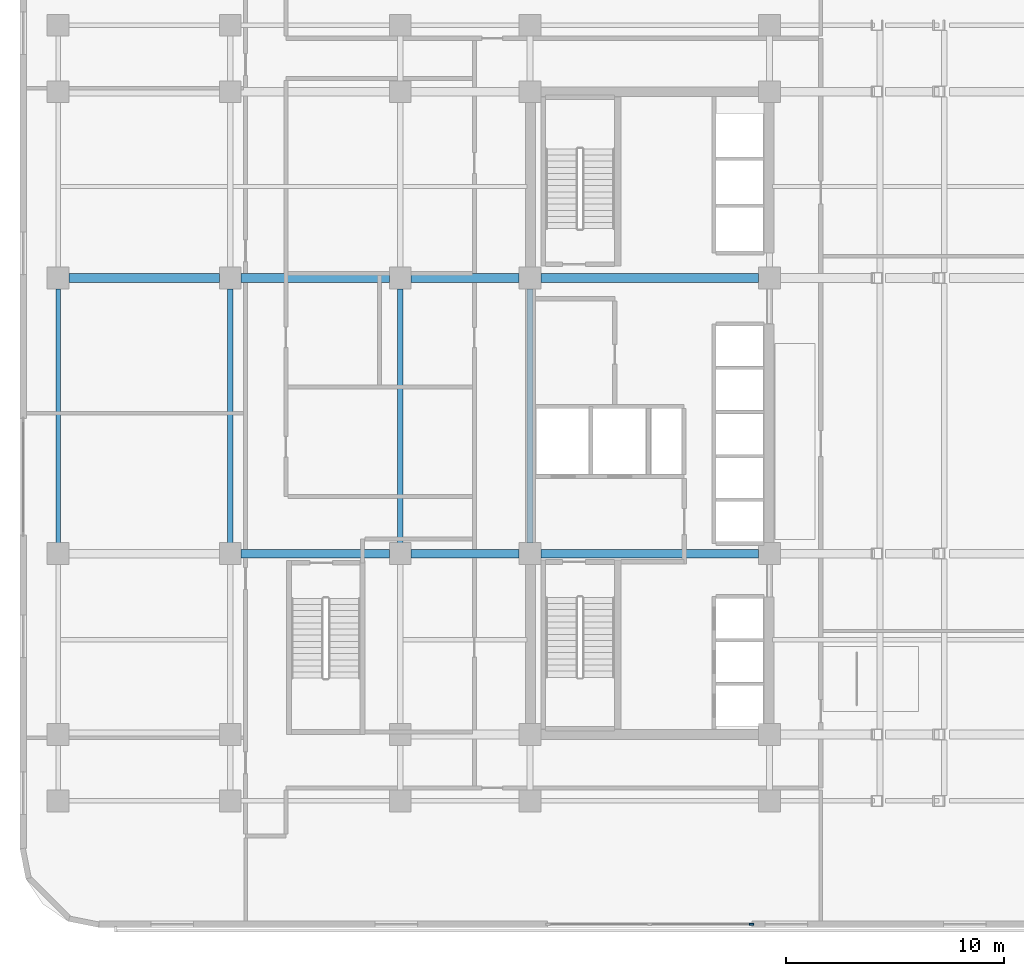
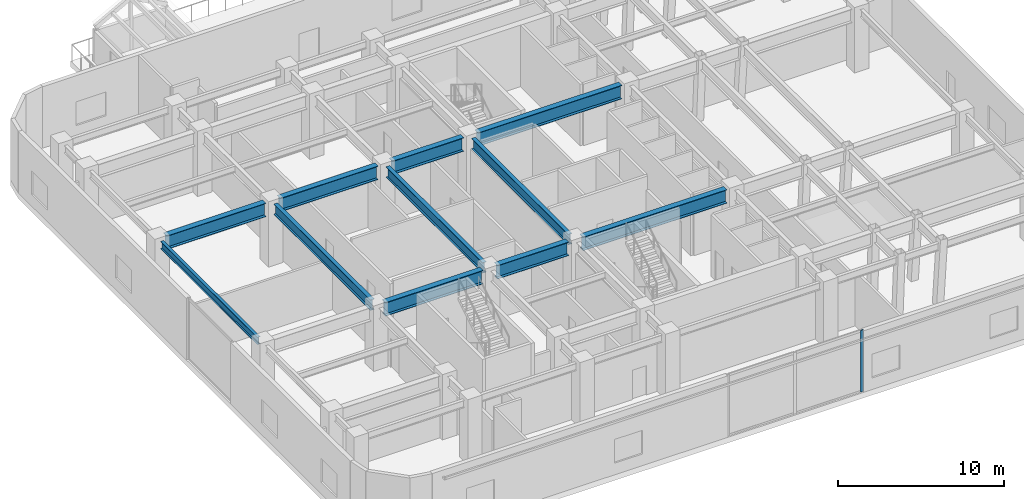
# One storey, part 3 of 18: 11 beams, 1 member, 1 element without a shape of its own.
"""IFC4 building model written with IfcOpenShell, lengths in metres."""

from ifc_helpers import new_model, si_unit, direction, frame, origin, origin_2d, place, context, subcontext, project, spatial, rectangle, i_section, extrude, material, layer, layer_set, material_profile, profile_set, type_object, element, aggregate, save


model = new_model("IFC4")

# Units and contexts
model_context = context("Model", 3, precision=1e-05, world=origin(), true_north=direction((0.0, 1.0)))
body_context = subcontext(model_context, "Body", "Model", "MODEL_VIEW")
ifc_project = project(units=[si_unit("LENGTHUNIT", "METRE"), si_unit("AREAUNIT", "SQUARE_METRE"), si_unit("VOLUMEUNIT", "CUBIC_METRE"), si_unit("PLANEANGLEUNIT", "RADIAN"), si_unit("MASSUNIT", "GRAM", prefix="KILO")], contexts=[model_context])

# Site, building, storey
site_placement = place(None, origin())
site = spatial("IfcSite", under=ifc_project, at=site_placement, CompositionType="ELEMENT")
building_placement = place(site_placement, origin())
building = spatial("IfcBuilding", under=site, at=building_placement, Name="Ochreholt Gables", CompositionType="ELEMENT")
storey_placement = place(building_placement, frame((0.0, 0.0, 4.800048828125)))
storey = spatial("IfcBuildingStorey", under=building, at=storey_placement, Name="L01", CompositionType="ELEMENT", Elevation=4.800048828125)

# Beams
ifc_material_1 = material(Name="Steel CSA G40.21 350W", Category="steel")
ifc_material_profile_1 = material_profile(ifc_material_1, i_section(OverallWidth=0.39990234375, OverallDepth=1.0, WebThickness=0.0166015625, FlangeThickness=0.031005859375, at=origin_2d()), Name="W1000X321")
ifc_profile_set_1 = profile_set([ifc_material_profile_1], Name="Steel CSA G40.21 350W")
beam_type_1 = type_object("IfcBeamType", Name="BM-G-W1000", PredefinedType="BEAM", material=ifc_profile_set_1)
beam_1_placement = place(storey_placement, frame((10.94970703125, 17.550048828125, 4.02001953125), z_axis=(1.0, 0.0, 0.0), x_axis=(0.0, 1.0, 0.0)))
element("IfcBeam", 1, at=beam_1_placement, inside=storey, type_object=beam_type_1, Name="L01 Beam BG-L01-W2W3-Y3", PredefinedType="BEAM", context=body_context, shape_type="SweptSolid", body=[
    extrude(i_section(OverallWidth=0.39990234375, OverallDepth=1.0, WebThickness=0.0166015625, FlangeThickness=0.031005859375, at=origin_2d()), origin(), (0.0, 0.0, 1.0), 6.80078125),
])
beam_2_placement = place(storey_placement, frame((18.74951171875, 17.550048828125, 4.02001953125), z_axis=(1.0, 0.0, 0.0), x_axis=(0.0, 1.0, 0.0)))
element("IfcBeam", 2, at=beam_2_placement, inside=storey, type_object=beam_type_1, Name="L01 Beam BG-L01-W3C1-Y3", PredefinedType="BEAM", context=body_context, shape_type="SweptSolid", body=[
    extrude(i_section(OverallWidth=0.39990234375, OverallDepth=1.0, WebThickness=0.0166015625, FlangeThickness=0.031005859375, at=origin_2d()), origin(), (0.0, 0.0, 1.0), 4.950927734375),
])
beam_3_placement = place(storey_placement, frame((24.69970703125, 17.550048828125, 4.02001953125), z_axis=(1.0, 0.0, 0.0), x_axis=(0.0, 1.0, 0.0)))
element("IfcBeam", 3, at=beam_3_placement, inside=storey, type_object=beam_type_1, Name="L01 Beam BG-L01-C1C2-Y3", PredefinedType="BEAM", context=body_context, shape_type="SweptSolid", body=[
    extrude(i_section(OverallWidth=0.39990234375, OverallDepth=1.0, WebThickness=0.0166015625, FlangeThickness=0.031005859375, at=origin_2d()), origin(), (0.0, 0.0, 1.0), 10.000732421875),
])
beam_4_placement = place(storey_placement, frame((3.049560546875, 30.199951171875, 4.02001953125), z_axis=(1.0, 0.0, 0.0), x_axis=(0.0, 1.0, 0.0)))
element("IfcBeam", 4, at=beam_4_placement, inside=storey, type_object=beam_type_1, Name="L01 Beam BG-L01-W1W2-Y4", PredefinedType="BEAM", context=body_context, shape_type="SweptSolid", body=[
    extrude(i_section(OverallWidth=0.39990234375, OverallDepth=1.0, WebThickness=0.0166015625, FlangeThickness=0.031005859375, at=origin_2d()), origin(), (0.0, 0.0, 1.0), 6.90087890625),
])
beam_5_placement = place(storey_placement, frame((10.94970703125, 30.199951171875, 4.02001953125), z_axis=(1.0, 0.0, 0.0), x_axis=(0.0, 1.0, 0.0)))
element("IfcBeam", 5, at=beam_5_placement, inside=storey, type_object=beam_type_1, Name="L01 Beam BG-L01-W2W3-Y4", PredefinedType="BEAM", context=body_context, shape_type="SweptSolid", body=[
    extrude(i_section(OverallWidth=0.39990234375, OverallDepth=1.0, WebThickness=0.0166015625, FlangeThickness=0.031005859375, at=origin_2d()), origin(), (0.0, 0.0, 1.0), 6.80078125),
])
beam_6_placement = place(storey_placement, frame((18.74951171875, 30.199951171875, 4.02001953125), z_axis=(1.0, 0.0, 0.0), x_axis=(0.0, 1.0, 0.0)))
element("IfcBeam", 6, at=beam_6_placement, inside=storey, type_object=beam_type_1, Name="L01 Beam BG-L01-W3C1-Y4", PredefinedType="BEAM", context=body_context, shape_type="SweptSolid", body=[
    extrude(i_section(OverallWidth=0.39990234375, OverallDepth=1.0, WebThickness=0.0166015625, FlangeThickness=0.031005859375, at=origin_2d()), origin(), (0.0, 0.0, 1.0), 4.950927734375),
])
beam_7_placement = place(storey_placement, frame((24.69970703125, 30.199951171875, 4.02001953125), z_axis=(1.0, 0.0, 0.0), x_axis=(0.0, 1.0, 0.0)))
element("IfcBeam", 7, at=beam_7_placement, inside=storey, type_object=beam_type_1, Name="L01 Beam BG-L01-C1C2-Y4", PredefinedType="BEAM", context=body_context, shape_type="SweptSolid", body=[
    extrude(i_section(OverallWidth=0.39990234375, OverallDepth=1.0, WebThickness=0.0166015625, FlangeThickness=0.031005859375, at=origin_2d()), origin(), (0.0, 0.0, 1.0), 10.000732421875),
])
ifc_material_profile_2 = material_profile(ifc_material_1, i_section(OverallWidth=0.26806640625, OverallDepth=0.77001953125, WebThickness=0.015625, FlangeThickness=0.025390625, at=origin_2d()), Name="W760X196")
ifc_profile_set_2 = profile_set([ifc_material_profile_2], Name="Steel CSA G40.21 350W")
beam_type_2 = type_object("IfcBeamType", Name="BM-G-W760", PredefinedType="BEAM", material=ifc_profile_set_2)
for number, where, z_axis, x_axis, name in (
    (8, (10.449951171875, 18.049560546875, 4.135009765625), (0.0, 1.0, 0.0), (-1.0, 0.0, 0.0), "L01 Beam BG-L01-W2-Y3Y4"),
    (9, (18.25, 18.049560546875, 4.135009765625), (0.0, 1.0, 0.0), (-1.0, 0.0, 0.0), "L01 Beam BG-L01-W3-Y3Y4"),
    (10, (24.199951171875, 18.049560546875, 4.135009765625), (0.0, 1.0, 0.0), (-1.0, 0.0, 0.0), "L01 Beam BG-L01-C1-Y3Y4"),
):
    element("IfcBeam", number, at=place(storey_placement, frame(where, z_axis=z_axis, x_axis=x_axis)), inside=storey, type_object=beam_type_2, Name=name, PredefinedType="BEAM", context=body_context, shape_type="SweptSolid", body=[
        extrude(i_section(OverallWidth=0.26806640625, OverallDepth=0.77001953125, WebThickness=0.015625, FlangeThickness=0.025390625, at=origin_2d()), origin(), (0.0, 0.0, 1.0), 11.65087890625),
    ])
ifc_material_profile_3 = material_profile(ifc_material_1, i_section(OverallWidth=0.208984375, OverallDepth=0.532958984375, WebThickness=0.01025390625, FlangeThickness=0.015625, at=origin_2d()), Name="W530X92")
ifc_profile_set_3 = profile_set([ifc_material_profile_3], Name="Steel CSA G40.21 350W")
beam_type_3 = type_object("IfcBeamType", Name="BM-SP-W530B", PredefinedType="SPANDREL", material=ifc_profile_set_3)
beam_8_placement = place(storey_placement, frame((2.550048828125, 18.049560546875, 4.25341796875), z_axis=(0.0, 1.0, 0.0), x_axis=(-1.0, 0.0, 0.0)))
element("IfcBeam", 11, at=beam_8_placement, inside=storey, type_object=beam_type_3, Name="L01 Beam BG-L01-W1-Y3Y4", PredefinedType="SPANDREL", context=body_context, shape_type="SweptSolid", body=[
    extrude(i_section(OverallWidth=0.208984375, OverallDepth=0.532958984375, WebThickness=0.01025390625, FlangeThickness=0.015625, at=origin_2d()), origin(), (0.0, 0.0, 1.0), 11.65087890625),
])

# Curtain wall, member
ifc_material_2 = material(Name="Unitised Aluminium and Triple Glazing", Category="aluminium")
ifc_layer = layer(ifc_material_2, 0.199951171875, Name="Unitised Aluminium and Triple Glazing")
ifc_layer_set = layer_set([ifc_layer], Name="Unitised Aluminium and Triple Glazing")
curtain_wall_type = type_object("IfcCurtainWallType", Name="CW-SYS1", PredefinedType="NOTDEFINED", material=ifc_layer_set)
curtain_wall_placement = place(storey_placement, origin())
curtain_wall = element("IfcCurtainWall", 12, at=curtain_wall_placement, inside=storey, type_object=curtain_wall_type, Name="L01 South Unitised Curtain Wall", PredefinedType="NOTDEFINED")
ifc_material_3 = material(Name="Anodized Aluminium 6063-T6", Category="aluminium")
ifc_material_profile_4 = material_profile(ifc_material_3, rectangle(XDim=0.074951171875, YDim=0.199951171875, at=origin_2d()), Name="CWM75X200")
ifc_profile_set_4 = profile_set([ifc_material_profile_4], Name="Anodized Aluminium 6063-T6")
member_type = type_object("IfcMemberType", Name="CW-MUL-A", PredefinedType="MULLION", material=ifc_profile_set_4)
member_placement = place(storey_placement, frame((34.362548828125, 0.544921875, 0.0), z_axis=(0.0, 0.0, 1.0), x_axis=(0.0, 1.0, 0.0)))
member = element("IfcMember", 13, at=member_placement, type_object=member_type, Name="CW-1 mullion 3", PredefinedType="MULLION", context=body_context, shape_type="SweptSolid", body=[
    extrude(rectangle(XDim=0.074951171875, YDim=0.199951171875, at=origin_2d()), origin(), (0.0, 0.0, 1.0), 4.52001953125),
])
aggregate(curtain_wall, [member])

save(model, "model.ifc")
